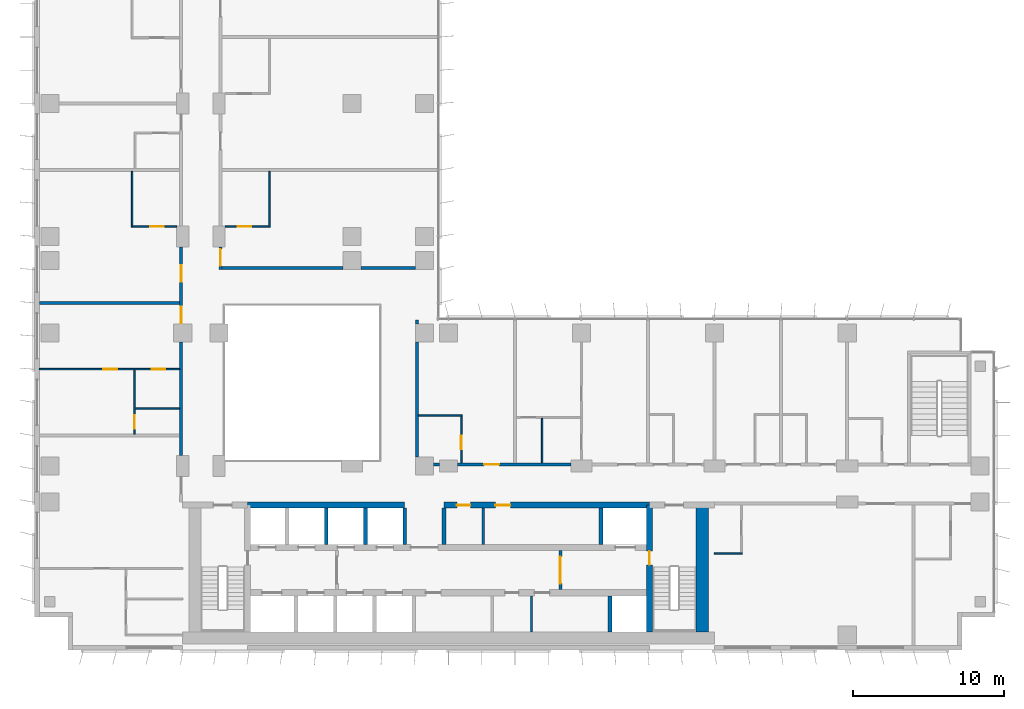
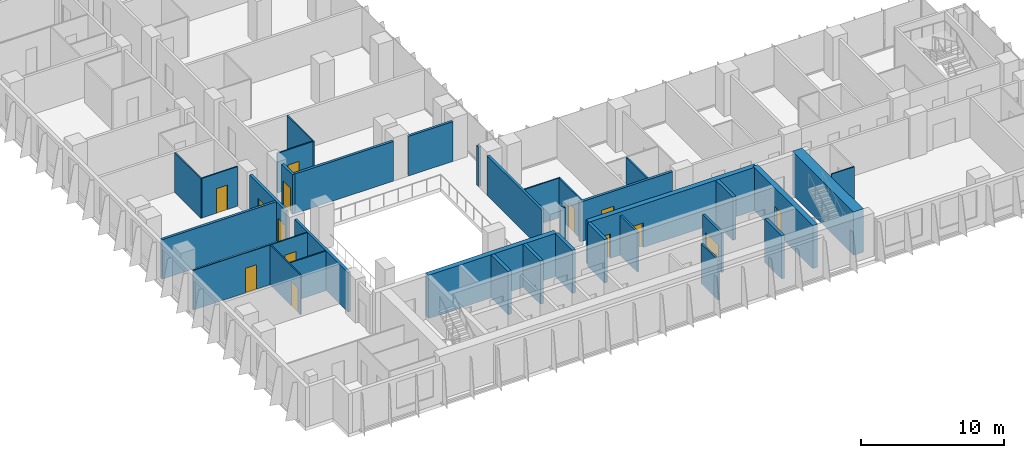
# One storey, part 13 of 22: 34 walls, 14 doors, 14 openings.
"""IFC4 building model written with IfcOpenShell, lengths in metres."""

from ifc_helpers import new_model, si_unit, direction, frame, frame_2d, origin, place, context, subcontext, project, spatial, rectangle, extrude, material, layer, layer_set, type_object, element, fill, save


model = new_model("IFC4")

# Units and contexts
model_context = context("Model", 3, precision=1e-05, world=origin(), true_north=direction((0.0, 1.0)))
body_context = subcontext(model_context, "Body", "Model", "MODEL_VIEW")
ifc_project = project(units=[si_unit("LENGTHUNIT", "METRE"), si_unit("AREAUNIT", "SQUARE_METRE"), si_unit("VOLUMEUNIT", "CUBIC_METRE"), si_unit("PLANEANGLEUNIT", "RADIAN"), si_unit("MASSUNIT", "GRAM", prefix="KILO")], contexts=[model_context])

# Site, building, storey
site_placement = place(None, origin())
site = spatial("IfcSite", under=ifc_project, at=site_placement, CompositionType="ELEMENT")
building_placement = place(site_placement, origin())
building = spatial("IfcBuilding", under=site, at=building_placement, Name="Kemantara Hotel Tower", CompositionType="ELEMENT")
storey_placement = place(building_placement, frame((0.0, 0.0, 145.699951171875)))
storey = spatial("IfcBuildingStorey", under=building, at=storey_placement, Name="L35", CompositionType="ELEMENT", Elevation=145.699951171875)

# Walls
ifc_material_1 = material(Name="Concrete fc 60 MPa", Category="concrete")
ifc_layer_1 = layer(ifc_material_1, 0.25)
ifc_layer_set_1 = layer_set([ifc_layer_1], Name="Concrete fc 60 MPa")
wall_type_1 = type_object("IfcWallType", Name="CORE WALL 250 FC60", PredefinedType="SHEAR", material=ifc_layer_set_1)
wall_1_placement = place(storey_placement, frame((38.10009765625, 1.199951171875, 0.0), z_axis=(0.0, 0.0, 1.0), x_axis=(0.0, 1.0, 0.0)))
element("IfcWall", 1, at=wall_1_placement, inside=storey, type_object=wall_type_1, Name="CORE WALL CW-DS38.1", PredefinedType="SHEAR", context=body_context, shape_type="SweptSolid", body=[
    extrude(rectangle(XDim=2.400146484375, YDim=0.25, at=frame_2d((1.2001953125, 0.0))), origin(), (0.0, 0.0, 1.0), 3.699951171875),
])
for number, where, z_axis, x_axis, name in (
    (2, (19.300048828125, 7.0, 0.0), (0.0, 0.0, 1.0), (0.0, 1.0, 0.0), "CORE WALL CW-DN19.3"),
    (3, (21.89990234375, 7.0, 0.0), (0.0, 0.0, 1.0), (0.0, 1.0, 0.0), "CORE WALL CW-DN21.9"),
    (4, (24.5, 7.0, 0.0), (0.0, 0.0, 1.0), (0.0, 1.0, 0.0), "CORE WALL CW-DN24.5"),
    (5, (27.10009765625, 7.0, 0.0), (0.0, 0.0, 1.0), (0.0, 1.0, 0.0), "CORE WALL CW-DN27.1"),
    (6, (37.5, 7.0, 0.0), (0.0, 0.0, 1.0), (0.0, 1.0, 0.0), "CORE WALL CW-DN37.5"),
):
    element("IfcWall", number, at=place(storey_placement, frame(where, z_axis=z_axis, x_axis=x_axis)), inside=storey, type_object=wall_type_1, Name=name, PredefinedType="SHEAR", context=body_context, shape_type="SweptSolid", body=[
        extrude(rectangle(XDim=2.39990234375, YDim=0.25, at=frame_2d((1.199951171875, 0.0))), origin(), (0.0, 0.0, 1.0), 3.699951171875),
    ])
ifc_layer_2 = layer(ifc_material_1, 0.39990234375)
ifc_layer_set_2 = layer_set([ifc_layer_2], Name="Concrete fc 60 MPa")
wall_type_2 = type_object("IfcWallType", Name="CORE WALL 400 FC60", PredefinedType="SHEAR", material=ifc_layer_set_2)
wall_2_placement = place(storey_placement, frame((14.10009765625, 9.60009765625, 0.0), z_axis=(0.0, 0.0, 1.0), x_axis=(1.0, 0.0, 0.0)))
element("IfcWall", 7, at=wall_2_placement, inside=storey, type_object=wall_type_2, Name="CORE WALL CW-NN1", PredefinedType="SHEAR", context=body_context, shape_type="SweptSolid", body=[
    extrude(rectangle(XDim=10.39990234375, YDim=0.39990234375, at=frame_2d((5.199951171875, 0.0))), origin(), (0.0, 0.0, 1.0), 3.699951171875),
])

# Wall, openings, doors
wall_3_placement = place(storey_placement, frame((27.10009765625, 9.60009765625, 0.0), z_axis=(0.0, 0.0, 1.0), x_axis=(1.0, 0.0, 0.0)))
wall_3 = element("IfcWall", 8, at=wall_3_placement, inside=storey, type_object=wall_type_2, Name="CORE WALL CW-NN2", PredefinedType="SHEAR", context=body_context, shape_type="SweptSolid", body=[
    extrude(rectangle(XDim=13.599853515625, YDim=0.39990234375, at=frame_2d((6.7998046875, 0.0))), origin(), (0.0, 0.0, 1.0), 3.699951171875),
])
opening_1_placement = place(wall_3_placement, frame((0.85009765625, 0.0, 0.0)))
opening_1 = element("IfcOpeningElement", 9, at=opening_1_placement, cuts=wall_3, Name="Opening C22-R-NE1", PredefinedType="OPENING", context=body_context, shape_type="SweptSolid", body=[
    extrude(rectangle(XDim=0.89990234375, YDim=2.10009765625, at=frame_2d((0.449951171875, 1.050048828125))), frame((0.0, 0.2099609375, 0.0), z_axis=(0.0, -1.0, 0.0), x_axis=(1.0, 0.0, 0.0)), (0.0, 0.0, 1.0), 0.419921875),
])
opening_2_placement = place(wall_3_placement, frame((3.39990234375, 0.0, 0.0)))
opening_2 = element("IfcOpeningElement", 10, at=opening_2_placement, cuts=wall_3, Name="Opening C22-R-NE2", PredefinedType="OPENING", context=body_context, shape_type="SweptSolid", body=[
    extrude(rectangle(XDim=1.0, YDim=2.10009765625, at=frame_2d((0.5, 1.050048828125))), frame((0.0, 0.2099609375, 0.0), z_axis=(0.0, -1.0, 0.0), x_axis=(1.0, 0.0, 0.0)), (0.0, 0.0, 1.0), 0.419921875),
])
ifc_material_2 = material(Name="Steel fire door", Category="steel")
door_type_1 = type_object("IfcDoorType", Name="Fire door FD30S 1000 x 2100", OperationType="NOTDEFINED", PredefinedType="DOOR", material=ifc_material_2)
door_1_placement = place(opening_2_placement, frame((1.0, 0.0, 0.0), z_axis=(0.0, 0.0, 1.0), x_axis=(-1.0, 0.0, 0.0)))
door_1 = element("IfcDoor", 11, at=door_1_placement, inside=storey, type_object=door_type_1, Name="Linen Store door", OperationType="SINGLE_SWING_RIGHT", OverallHeight=2.10009765625, OverallWidth=1.0, PredefinedType="DOOR", context=body_context, shape_type="SweptSolid", body=[
    extrude(rectangle(XDim=1.0, YDim=2.10009765625, at=frame_2d((0.5, 1.050048828125))), frame((0.0, 0.02490234375, 0.0), z_axis=(0.0, -1.0, 0.0), x_axis=(1.0, 0.0, 0.0)), (0.0, 0.0, 1.0), 0.050048828125),
])
fill(opening_2, door_1)
door_type_2 = type_object("IfcDoorType", Name="Fire door FD30S 900 x 2100", OperationType="NOTDEFINED", PredefinedType="DOOR", material=ifc_material_2)
door_2_placement = place(opening_1_placement, frame((0.89990234375, 0.0, 0.0), z_axis=(0.0, 0.0, 1.0), x_axis=(-1.0, 0.0, 0.0)))
door_2 = element("IfcDoor", 12, at=door_2_placement, inside=storey, type_object=door_type_2, Name="Staff Wc door", OperationType="SINGLE_SWING_RIGHT", OverallHeight=2.10009765625, OverallWidth=0.89990234375, PredefinedType="DOOR", context=body_context, shape_type="SweptSolid", body=[
    extrude(rectangle(XDim=0.89990234375, YDim=2.10009765625, at=frame_2d((0.449951171875, 1.050048828125))), frame((0.0, 0.02490234375, 0.0), z_axis=(0.0, -1.0, 0.0), x_axis=(1.0, 0.0, 0.0)), (0.0, 0.0, 1.0), 0.050048828125),
])
fill(opening_1, door_2)

# Wall, opening, door
wall_4_placement = place(storey_placement, frame((40.699951171875, 1.199951171875, 0.0), z_axis=(0.0, 0.0, 1.0), x_axis=(0.0, 1.0, 0.0)))
wall_4 = element("IfcWall", 13, at=wall_4_placement, inside=storey, type_object=wall_type_2, Name="CORE WALL CW-ST2W", PredefinedType="SHEAR", context=body_context, shape_type="SweptSolid", body=[
    extrude(rectangle(XDim=8.400146484375, YDim=0.39990234375, at=frame_2d((4.2001953125, 0.0))), origin(), (0.0, 0.0, 1.0), 3.699951171875),
])
opening_3_placement = place(wall_4_placement, frame((4.449951171875, 0.0, 0.0)))
opening_3 = element("IfcOpeningElement", 14, at=opening_3_placement, cuts=wall_4, Name="Opening C22-ST2-F", PredefinedType="OPENING", context=body_context, shape_type="SweptSolid", body=[
    extrude(rectangle(XDim=0.89990234375, YDim=2.10009765625, at=frame_2d((0.449951171875, 1.050048828125))), frame((0.0, 0.2099609375, 0.0), z_axis=(0.0, -1.0, 0.0), x_axis=(1.0, 0.0, 0.0)), (0.0, 0.0, 1.0), 0.419921875),
])
door_type_3 = type_object("IfcDoorType", Name="Fire door FD90 900 x 2100", OperationType="NOTDEFINED", PredefinedType="DOOR", material=ifc_material_2)
door_3_placement = place(opening_3_placement, frame((0.89990234375, 0.0, 0.0), z_axis=(0.0, 0.0, 1.0), x_axis=(-1.0, 0.0, 0.0)))
door_3 = element("IfcDoor", 15, at=door_3_placement, inside=storey, type_object=door_type_3, Name="Stair ST2 door to firefighting lobby", OperationType="SINGLE_SWING_LEFT", OverallHeight=2.10009765625, OverallWidth=0.89990234375, PredefinedType="DOOR", context=body_context, shape_type="SweptSolid", body=[
    extrude(rectangle(XDim=0.89990234375, YDim=2.10009765625, at=frame_2d((0.449951171875, 1.050048828125))), frame((0.0, 0.02490234375, 0.0), z_axis=(0.0, -1.0, 0.0), x_axis=(1.0, 0.0, 0.0)), (0.0, 0.0, 1.0), 0.050048828125),
])
fill(opening_3, door_3)

# Walls
ifc_layer_3 = layer(ifc_material_1, 0.800048828125)
ifc_layer_set_3 = layer_set([ifc_layer_3], Name="Concrete fc 60 MPa")
wall_type_3 = type_object("IfcWallType", Name="CORE WALL 800 FC60", PredefinedType="SHEAR", material=ifc_layer_set_3)
wall_5_placement = place(storey_placement, frame((44.199951171875, 1.199951171875, 0.0), z_axis=(0.0, 0.0, 1.0), x_axis=(0.0, 1.0, 0.0)))
element("IfcWall", 16, at=wall_5_placement, inside=storey, type_object=wall_type_3, Name="CORE WALL CW-E", PredefinedType="SHEAR", context=body_context, shape_type="SweptSolid", body=[
    extrude(rectangle(XDim=8.60009765625, YDim=0.800048828125, at=frame_2d((4.300048828125, 0.0))), origin(), (0.0, 0.0, 1.0), 3.699951171875),
])
ifc_material_3 = material(Name="Gypsum board partition, steel studs and mineral wool, 200 mm", Category="steel")
ifc_layer_4 = layer(ifc_material_3, 0.199951171875)
ifc_layer_set_4 = layer_set([ifc_layer_4], Name="Gypsum board partition, steel studs and mineral wool, 200 mm")
wall_type_4 = type_object("IfcWallType", Name="CORRIDOR WALL 200", PredefinedType="PARTITIONING", material=ifc_layer_set_4)
wall_6_placement = place(storey_placement, frame((26.400146484375, 12.300048828125, 0.0), z_axis=(0.0, 0.0, 1.0), x_axis=(1.0, 0.0, 0.0)))
element("IfcWall", 17, at=wall_6_placement, inside=storey, type_object=wall_type_4, Name="CORRIDOR WALL 200 004", PredefinedType="PARTITIONING", context=body_context, shape_type="SweptSolid", body=[
    extrude(rectangle(XDim=0.399658203125, YDim=0.199951171875, at=frame_2d((0.19970703125, 0.0))), origin(), (0.0, 0.0, 1.0), 3.400146484375),
])

# Wall, opening, door
wall_7_placement = place(storey_placement, frame((28.0, 12.300048828125, 0.0), z_axis=(0.0, 0.0, 1.0), x_axis=(1.0, 0.0, 0.0)))
wall_7 = element("IfcWall", 18, at=wall_7_placement, inside=storey, type_object=wall_type_4, Name="CORRIDOR WALL 200 005", PredefinedType="PARTITIONING", context=body_context, shape_type="SweptSolid", body=[
    extrude(rectangle(XDim=7.5, YDim=0.199951171875, at=frame_2d((3.75, 0.0))), origin(), (0.0, 0.0, 1.0), 3.400146484375),
])
opening_4_placement = place(wall_7_placement, frame((1.75, 0.0, 0.0)))
opening_4 = element("IfcOpeningElement", 19, at=opening_4_placement, cuts=wall_7, Name="Opening F16-005", PredefinedType="OPENING", context=body_context, shape_type="SweptSolid", body=[
    extrude(rectangle(XDim=1.0, YDim=2.10009765625, at=frame_2d((0.5, 1.050048828125))), frame((0.0, 0.10986328125, 0.0), z_axis=(0.0, -1.0, 0.0), x_axis=(1.0, 0.0, 0.0)), (0.0, 0.0, 1.0), 0.219970703125),
])
ifc_material_4 = material(Name="Hardwood veneer door leaf with steel frame", Category="steel")
door_type_4 = type_object("IfcDoorType", Name="GUEST ROOM DOOR 1000 X 2100 FD30S", OperationType="NOTDEFINED", PredefinedType="DOOR", material=ifc_material_4)
door_4_placement = place(opening_4_placement, origin())
door_4 = element("IfcDoor", 20, at=door_4_placement, inside=storey, type_object=door_type_4, Name="GUEST ROOM DOOR F16-005", OperationType="SINGLE_SWING_RIGHT", OverallHeight=2.10009765625, OverallWidth=1.0, PredefinedType="DOOR", context=body_context, shape_type="SweptSolid", body=[
    extrude(rectangle(XDim=1.0, YDim=2.10009765625, at=frame_2d((0.5, 1.050048828125))), frame((0.0, 0.02490234375, 0.0), z_axis=(0.0, -1.0, 0.0), x_axis=(1.0, 0.0, 0.0)), (0.0, 0.0, 1.0), 0.050048828125),
])
fill(opening_4, door_4)

# Wall
wall_8_placement = place(storey_placement, frame((9.699951171875, 12.900146484375, 0.0), z_axis=(0.0, 0.0, 1.0), x_axis=(0.0, 1.0, 0.0)))
element("IfcWall", 21, at=wall_8_placement, inside=storey, type_object=wall_type_4, Name="CORRIDOR WALL 200 017", PredefinedType="PARTITIONING", context=body_context, shape_type="SweptSolid", body=[
    extrude(rectangle(XDim=7.499755859375, YDim=0.199951171875, at=frame_2d((3.75, 0.0))), origin(), (0.0, 0.0, 1.0), 3.400146484375),
])

# Wall, openings, doors
wall_9_placement = place(storey_placement, frame((9.699951171875, 21.60009765625, 0.0), z_axis=(0.0, 0.0, 1.0), x_axis=(0.0, 1.0, 0.0)))
wall_9 = element("IfcWall", 22, at=wall_9_placement, inside=storey, type_object=wall_type_4, Name="CORRIDOR WALL 200 018", PredefinedType="PARTITIONING", context=body_context, shape_type="SweptSolid", body=[
    extrude(rectangle(XDim=5.099853515625, YDim=0.199951171875, at=frame_2d((2.5498046875, 0.0))), origin(), (0.0, 0.0, 1.0), 3.400146484375),
])
opening_5_placement = place(wall_9_placement, frame((0.0498046875, 0.0, 0.0)))
opening_5 = element("IfcOpeningElement", 23, at=opening_5_placement, cuts=wall_9, Name="Opening F16-023", PredefinedType="OPENING", context=body_context, shape_type="SweptSolid", body=[
    extrude(rectangle(XDim=1.10009765625, YDim=2.10009765625, at=frame_2d((0.550048828125, 1.050048828125))), frame((0.0, 0.10986328125, 0.0), z_axis=(0.0, -1.0, 0.0), x_axis=(1.0, 0.0, 0.0)), (0.0, 0.0, 1.0), 0.219970703125),
])
opening_6_placement = place(wall_9_placement, frame((2.7998046875, 0.0, 0.0)))
opening_6 = element("IfcOpeningElement", 24, at=opening_6_placement, cuts=wall_9, Name="Opening F16-027", PredefinedType="OPENING", context=body_context, shape_type="SweptSolid", body=[
    extrude(rectangle(XDim=1.10009765625, YDim=2.10009765625, at=frame_2d((0.550048828125, 1.050048828125))), frame((0.0, 0.10986328125, 0.0), z_axis=(0.0, -1.0, 0.0), x_axis=(1.0, 0.0, 0.0)), (0.0, 0.0, 1.0), 0.219970703125),
])
door_type_5 = type_object("IfcDoorType", Name="SUITE ENTRANCE DOOR 1100 X 2100 FD30S", OperationType="NOTDEFINED", PredefinedType="DOOR", material=ifc_material_4)
door_5_placement = place(opening_5_placement, origin())
door_5 = element("IfcDoor", 25, at=door_5_placement, inside=storey, type_object=door_type_5, Name="SUITE ENTRANCE DOOR F16-023", OperationType="SINGLE_SWING_RIGHT", OverallHeight=2.10009765625, OverallWidth=1.10009765625, PredefinedType="DOOR", context=body_context, shape_type="SweptSolid", body=[
    extrude(rectangle(XDim=1.10009765625, YDim=2.10009765625, at=frame_2d((0.550048828125, 1.050048828125))), frame((0.0, 0.02490234375, 0.0), z_axis=(0.0, -1.0, 0.0), x_axis=(1.0, 0.0, 0.0)), (0.0, 0.0, 1.0), 0.050048828125),
])
fill(opening_5, door_5)
door_6_placement = place(opening_6_placement, origin())
door_6 = element("IfcDoor", 26, at=door_6_placement, inside=storey, type_object=door_type_5, Name="SUITE ENTRANCE DOOR F16-027", OperationType="SINGLE_SWING_LEFT", OverallHeight=2.10009765625, OverallWidth=1.10009765625, PredefinedType="DOOR", context=body_context, shape_type="SweptSolid", body=[
    extrude(rectangle(XDim=1.10009765625, YDim=2.10009765625, at=frame_2d((0.550048828125, 1.050048828125))), frame((0.0, 0.02490234375, 0.0), z_axis=(0.0, -1.0, 0.0), x_axis=(1.0, 0.0, 0.0)), (0.0, 0.0, 1.0), 0.050048828125),
])
fill(opening_6, door_6)

# Wall, opening, door
wall_10_placement = place(storey_placement, frame((12.300048828125, 26.699951171875, 0.0), z_axis=(0.0, 0.0, 1.0), x_axis=(0.0, -1.0, 0.0)))
wall_10 = element("IfcWall", 27, at=wall_10_placement, inside=storey, type_object=wall_type_4, Name="CORRIDOR WALL 200 032", PredefinedType="PARTITIONING", context=body_context, shape_type="SweptSolid", body=[
    extrude(rectangle(XDim=1.5, YDim=0.199951171875, at=frame_2d((0.75, 0.0))), origin(), (0.0, 0.0, 1.0), 3.400146484375),
])
opening_7_placement = place(wall_10_placement, frame((0.14990234375, 0.0, 0.0)))
opening_7 = element("IfcOpeningElement", 28, at=opening_7_placement, cuts=wall_10, Name="Opening F16-045", PredefinedType="OPENING", context=body_context, shape_type="SweptSolid", body=[
    extrude(rectangle(XDim=1.10009765625, YDim=2.10009765625, at=frame_2d((0.550048828125, 1.050048828125))), frame((0.0, 0.10986328125, 0.0), z_axis=(0.0, -1.0, 0.0), x_axis=(1.0, 0.0, 0.0)), (0.0, 0.0, 1.0), 0.219970703125),
])
door_7_placement = place(opening_7_placement, origin())
door_7 = element("IfcDoor", 29, at=door_7_placement, inside=storey, type_object=door_type_5, Name="SUITE ENTRANCE DOOR F16-045", OperationType="SINGLE_SWING_RIGHT", OverallHeight=2.10009765625, OverallWidth=1.10009765625, PredefinedType="DOOR", context=body_context, shape_type="SweptSolid", body=[
    extrude(rectangle(XDim=1.10009765625, YDim=2.10009765625, at=frame_2d((0.550048828125, 1.050048828125))), frame((0.0, 0.02490234375, 0.0), z_axis=(0.0, -1.0, 0.0), x_axis=(1.0, 0.0, 0.0)), (0.0, 0.0, 1.0), 0.050048828125),
])
fill(opening_7, door_7)

# Walls
ifc_layer_5 = layer(ifc_material_3, 0.199951171875)
ifc_layer_set_5 = layer_set([ifc_layer_5], Name="Gypsum board partition, steel studs and mineral wool, 200 mm")
wall_type_5 = type_object("IfcWallType", Name="GUEST ROOM PARTY WALL 200", PredefinedType="PARTITIONING", material=ifc_layer_set_5)
wall_11_placement = place(storey_placement, frame((25.300048828125, 12.800048828125, 0.0), z_axis=(0.0, 0.0, 1.0), x_axis=(0.0, 1.0, 0.0)))
element("IfcWall", 30, at=wall_11_placement, inside=storey, type_object=wall_type_5, Name="GUEST ROOM PARTY WALL 200 009", PredefinedType="PARTITIONING", context=body_context, shape_type="SweptSolid", body=[
    extrude(rectangle(XDim=7.599853515625, YDim=0.199951171875, at=frame_2d((3.7998046875, 0.0))), origin(), (0.0, 0.0, 1.0), 3.400146484375),
])
wall_12_placement = place(storey_placement, frame((25.300048828125, 21.60009765625, 0.0), z_axis=(0.0, 0.0, 1.0), x_axis=(0.0, 1.0, 0.0)))
element("IfcWall", 31, at=wall_12_placement, inside=storey, type_object=wall_type_5, Name="GUEST ROOM PARTY WALL 200 010", PredefinedType="PARTITIONING", context=body_context, shape_type="SweptSolid", body=[
    extrude(rectangle(XDim=0.27001953125, YDim=0.199951171875, at=frame_2d((0.135009765625, 0.0))), origin(), (0.0, 0.0, 1.0), 3.400146484375),
])
wall_13_placement = place(storey_placement, frame((0.31005859375, 23.0, 0.0), z_axis=(0.0, 0.0, 1.0), x_axis=(1.0, 0.0, 0.0)))
element("IfcWall", 32, at=wall_13_placement, inside=storey, type_object=wall_type_5, Name="GUEST ROOM PARTY WALL 200 026", PredefinedType="PARTITIONING", context=body_context, shape_type="SweptSolid", body=[
    extrude(rectangle(XDim=9.2900390625, YDim=0.199951171875, at=frame_2d((4.64501953125, 0.0))), origin(), (0.0, 0.0, 1.0), 3.400146484375),
])
wall_14_placement = place(storey_placement, frame((12.39990234375, 25.300048828125, 0.0), z_axis=(0.0, 0.0, 1.0), x_axis=(1.0, 0.0, 0.0)))
element("IfcWall", 33, at=wall_14_placement, inside=storey, type_object=wall_type_5, Name="GUEST ROOM PARTY WALL 200 039", PredefinedType="PARTITIONING", context=body_context, shape_type="SweptSolid", body=[
    extrude(rectangle(XDim=8.0, YDim=0.199951171875, at=frame_2d((4.0, 0.0))), origin(), (0.0, 0.0, 1.0), 3.400146484375),
])
wall_15_placement = place(storey_placement, frame((21.60009765625, 25.300048828125, 0.0), z_axis=(0.0, 0.0, 1.0), x_axis=(1.0, 0.0, 0.0)))
element("IfcWall", 34, at=wall_15_placement, inside=storey, type_object=wall_type_5, Name="GUEST ROOM PARTY WALL 200 040", PredefinedType="PARTITIONING", context=body_context, shape_type="SweptSolid", body=[
    extrude(rectangle(XDim=3.599853515625, YDim=0.199951171875, at=frame_2d((1.7998046875, 0.0))), origin(), (0.0, 0.0, 1.0), 3.400146484375),
])
ifc_material_5 = material(Name="Gypsum board partition")
ifc_layer_6 = layer(ifc_material_5, 0.14990234375)
ifc_layer_set_6 = layer_set([ifc_layer_6], Name="Gypsum board partition")
wall_type_6 = type_object("IfcWallType", Name="Gypsum board partition 150 mm", PredefinedType="PARTITIONING", material=ifc_layer_set_6)
wall_16_placement = place(storey_placement, frame((29.699951171875, 7.0, 0.0), z_axis=(0.0, 0.0, 1.0), x_axis=(0.0, 1.0, 0.0)))
element("IfcWall", 35, at=wall_16_placement, inside=storey, type_object=wall_type_6, Name="Core room partition", PredefinedType="PARTITIONING", context=body_context, shape_type="SweptSolid", body=[
    extrude(rectangle(XDim=2.39990234375, YDim=0.14990234375, at=frame_2d((1.199951171875, 0.0))), origin(), (0.0, 0.0, 1.0), 3.400146484375),
])
wall_17_placement = place(storey_placement, frame((32.89990234375, 1.199951171875, 0.0), z_axis=(0.0, 0.0, 1.0), x_axis=(0.0, 1.0, 0.0)))
element("IfcWall", 36, at=wall_17_placement, inside=storey, type_object=wall_type_6, Name="Core room partition", PredefinedType="PARTITIONING", context=body_context, shape_type="SweptSolid", body=[
    extrude(rectangle(XDim=2.400146484375, YDim=0.14990234375, at=frame_2d((1.2001953125, 0.0))), origin(), (0.0, 0.0, 1.0), 3.400146484375),
])

# Wall, opening, door
ifc_material_6 = material(Name="Gypsum board shaft wall")
ifc_layer_7 = layer(ifc_material_6, 0.199951171875)
ifc_layer_set_7 = layer_set([ifc_layer_7], Name="Gypsum board shaft wall")
wall_type_7 = type_object("IfcWallType", Name="Gypsum board shaft wall 200 mm", PredefinedType="PARTITIONING", material=ifc_layer_set_7)
wall_18_placement = place(storey_placement, frame((34.800048828125, 4.0, 0.0), z_axis=(0.0, 0.0, 1.0), x_axis=(0.0, 1.0, 0.0)))
wall_18 = element("IfcWall", 37, at=wall_18_placement, inside=storey, type_object=wall_type_7, Name="Firefighting lobby partition east", PredefinedType="PARTITIONING", context=body_context, shape_type="SweptSolid", body=[
    extrude(rectangle(XDim=2.60009765625, YDim=0.199951171875, at=frame_2d((1.300048828125, 0.0))), origin(), (0.0, 0.0, 1.0), 3.400146484375),
])
opening_8_placement = place(wall_18_placement, frame((0.39990234375, 0.0, 0.0)))
opening_8 = element("IfcOpeningElement", 38, at=opening_8_placement, cuts=wall_18, Name="Opening C22-FFE", PredefinedType="OPENING", context=body_context, shape_type="SweptSolid", body=[
    extrude(rectangle(XDim=1.800048828125, YDim=2.10009765625, at=frame_2d((0.89990234375, 1.050048828125))), frame((0.0, 0.10986328125, 0.0), z_axis=(0.0, -1.0, 0.0), x_axis=(1.0, 0.0, 0.0)), (0.0, 0.0, 1.0), 0.219970703125),
])
door_type_6 = type_object("IfcDoorType", Name="Fire door pair FD60 1800 x 2100", OperationType="DOUBLE_DOOR_SINGLE_SWING", PredefinedType="DOOR", material=ifc_material_2)
door_8_placement = place(opening_8_placement, frame((1.800048828125, 0.0, 0.0), z_axis=(0.0, 0.0, 1.0), x_axis=(-1.0, 0.0, 0.0)))
door_8 = element("IfcDoor", 39, at=door_8_placement, inside=storey, type_object=door_type_6, Name="Firefighting lobby door east", OperationType="DOUBLE_DOOR_SINGLE_SWING", OverallHeight=2.10009765625, OverallWidth=1.800048828125, PredefinedType="DOOR", context=body_context, shape_type="SweptSolid", body=[
    extrude(rectangle(XDim=1.800048828125, YDim=2.10009765625, at=frame_2d((0.89990234375, 1.050048828125))), frame((0.0, 0.02490234375, 0.0), z_axis=(0.0, -1.0, 0.0), x_axis=(1.0, 0.0, 0.0)), (0.0, 0.0, 1.0), 0.050048828125),
])
fill(opening_8, door_8)

# Walls
ifc_material_7 = material(Name="Gypsum board partition on steel studs, 100 mm", Category="steel")
ifc_layer_8 = layer(ifc_material_7, 0.10009765625)
ifc_layer_set_8 = layer_set([ifc_layer_8], Name="Gypsum board partition on steel studs, 100 mm")
wall_type_8 = type_object("IfcWallType", Name="ROOM PARTITION 100", PredefinedType="PARTITIONING", material=ifc_layer_set_8)
wall_19_placement = place(storey_placement, frame((45.0, 6.39990234375, 0.0), z_axis=(0.0, 0.0, 1.0), x_axis=(1.0, 0.0, 0.0)))
element("IfcWall", 40, at=wall_19_placement, inside=storey, type_object=wall_type_8, Name="ROOM PARTITION 100 045", PredefinedType="PARTITIONING", context=body_context, shape_type="SweptSolid", body=[
    extrude(rectangle(XDim=1.85009765625, YDim=0.10009765625, at=frame_2d((0.925048828125, 0.0))), origin(), (0.0, 0.0, 1.0), 3.400146484375),
])
wall_20_placement = place(storey_placement, frame((25.39990234375, 15.550048828125, 0.0), z_axis=(0.0, 0.0, 1.0), x_axis=(1.0, 0.0, 0.0)))
element("IfcWall", 41, at=wall_20_placement, inside=storey, type_object=wall_type_8, Name="ROOM PARTITION 100 049", PredefinedType="PARTITIONING", context=body_context, shape_type="SweptSolid", body=[
    extrude(rectangle(XDim=2.900146484375, YDim=0.10009765625, at=frame_2d((1.4501953125, 0.0))), origin(), (0.0, 0.0, 1.0), 3.400146484375),
])

# Wall, opening, door
wall_21_placement = place(storey_placement, frame((28.25, 12.39990234375, 0.0), z_axis=(0.0, 0.0, 1.0), x_axis=(0.0, 1.0, 0.0)))
wall_21 = element("IfcWall", 42, at=wall_21_placement, inside=storey, type_object=wall_type_8, Name="ROOM PARTITION 100 050", PredefinedType="PARTITIONING", context=body_context, shape_type="SweptSolid", body=[
    extrude(rectangle(XDim=3.10009765625, YDim=0.10009765625, at=frame_2d((1.550048828125, 0.0))), origin(), (0.0, 0.0, 1.0), 3.400146484375),
])
opening_9_placement = place(wall_21_placement, frame((0.89990234375, 0.0, 0.0)))
opening_9 = element("IfcOpeningElement", 43, at=opening_9_placement, cuts=wall_21, Name="Opening F16-006", PredefinedType="OPENING", context=body_context, shape_type="SweptSolid", body=[
    extrude(rectangle(XDim=0.89990234375, YDim=2.10009765625, at=frame_2d((0.449951171875, 1.050048828125))), frame((0.0, 0.06005859375, 0.0), z_axis=(0.0, -1.0, 0.0), x_axis=(1.0, 0.0, 0.0)), (0.0, 0.0, 1.0), 0.1201171875),
])
door_type_7 = type_object("IfcDoorType", Name="BATHROOM DOOR 900 X 2100", OperationType="NOTDEFINED", PredefinedType="DOOR", material=ifc_material_4)
door_9_placement = place(opening_9_placement, origin())
door_9 = element("IfcDoor", 44, at=door_9_placement, inside=storey, type_object=door_type_7, Name="BATHROOM DOOR F16-006", OperationType="SINGLE_SWING_LEFT", OverallHeight=2.10009765625, OverallWidth=0.89990234375, PredefinedType="DOOR", context=body_context, shape_type="SweptSolid", body=[
    extrude(rectangle(XDim=0.89990234375, YDim=2.10009765625, at=frame_2d((0.449951171875, 1.050048828125))), frame((0.0, 0.02490234375, 0.0), z_axis=(0.0, -1.0, 0.0), x_axis=(1.0, 0.0, 0.0)), (0.0, 0.0, 1.0), 0.050048828125),
])
fill(opening_9, door_9)

# Wall
wall_22_placement = place(storey_placement, frame((33.60009765625, 12.39990234375, 0.0), z_axis=(0.0, 0.0, 1.0), x_axis=(0.0, 1.0, 0.0)))
element("IfcWall", 45, at=wall_22_placement, inside=storey, type_object=wall_type_8, Name="ROOM PARTITION 100 053", PredefinedType="PARTITIONING", context=body_context, shape_type="SweptSolid", body=[
    extrude(rectangle(XDim=2.9501953125, YDim=0.10009765625, at=frame_2d((1.47509765625, 0.0))), origin(), (0.0, 0.0, 1.0), 3.400146484375),
])

# Wall, opening, door
wall_23_placement = place(storey_placement, frame((6.60009765625, 18.550048828125, 0.0), z_axis=(0.0, 0.0, 1.0), x_axis=(0.0, -1.0, 0.0)))
wall_23 = element("IfcWall", 46, at=wall_23_placement, inside=storey, type_object=wall_type_8, Name="ROOM PARTITION 100 067", PredefinedType="PARTITIONING", context=body_context, shape_type="SweptSolid", body=[
    extrude(rectangle(XDim=4.25, YDim=0.10009765625, at=frame_2d((2.125, 0.0))), origin(), (0.0, 0.0, 1.0), 3.400146484375),
])
opening_10_placement = place(wall_23_placement, frame((3.0, 0.0, 0.0)))
opening_10 = element("IfcOpeningElement", 47, at=opening_10_placement, cuts=wall_23, Name="Opening F16-026", PredefinedType="OPENING", context=body_context, shape_type="SweptSolid", body=[
    extrude(rectangle(XDim=0.89990234375, YDim=2.10009765625, at=frame_2d((0.449951171875, 1.050048828125))), frame((0.0, 0.06005859375, 0.0), z_axis=(0.0, -1.0, 0.0), x_axis=(1.0, 0.0, 0.0)), (0.0, 0.0, 1.0), 0.1201171875),
])
door_10_placement = place(opening_10_placement, origin())
door_10 = element("IfcDoor", 48, at=door_10_placement, inside=storey, type_object=door_type_7, Name="BATHROOM DOOR F16-026", OperationType="SINGLE_SWING_LEFT", OverallHeight=2.10009765625, OverallWidth=0.89990234375, PredefinedType="DOOR", context=body_context, shape_type="SweptSolid", body=[
    extrude(rectangle(XDim=0.89990234375, YDim=2.10009765625, at=frame_2d((0.449951171875, 1.050048828125))), frame((0.0, 0.02490234375, 0.0), z_axis=(0.0, -1.0, 0.0), x_axis=(1.0, 0.0, 0.0)), (0.0, 0.0, 1.0), 0.050048828125),
])
fill(opening_10, door_10)

# Wall, openings, doors
wall_24_placement = place(storey_placement, frame((0.31005859375, 18.60009765625, 0.0), z_axis=(0.0, 0.0, 1.0), x_axis=(1.0, 0.0, 0.0)))
wall_24 = element("IfcWall", 49, at=wall_24_placement, inside=storey, type_object=wall_type_8, Name="ROOM PARTITION 100 070", PredefinedType="PARTITIONING", context=body_context, shape_type="SweptSolid", body=[
    extrude(rectangle(XDim=9.2900390625, YDim=0.10009765625, at=frame_2d((4.64501953125, 0.0))), origin(), (0.0, 0.0, 1.0), 3.400146484375),
])
opening_11_placement = place(wall_24_placement, frame((7.43994140625, 0.0, 0.0)))
opening_11 = element("IfcOpeningElement", 50, at=opening_11_placement, cuts=wall_24, Name="Opening F16-024", PredefinedType="OPENING", context=body_context, shape_type="SweptSolid", body=[
    extrude(rectangle(XDim=0.89990234375, YDim=2.10009765625, at=frame_2d((0.449951171875, 1.050048828125))), frame((0.0, 0.06005859375, 0.0), z_axis=(0.0, -1.0, 0.0), x_axis=(1.0, 0.0, 0.0)), (0.0, 0.0, 1.0), 0.1201171875),
])
opening_12_placement = place(wall_24_placement, frame((4.239990234375, 0.0, 0.0)))
opening_12 = element("IfcOpeningElement", 51, at=opening_12_placement, cuts=wall_24, Name="Opening F16-025", PredefinedType="OPENING", context=body_context, shape_type="SweptSolid", body=[
    extrude(rectangle(XDim=0.89990234375, YDim=2.10009765625, at=frame_2d((0.449951171875, 1.050048828125))), frame((0.0, 0.06005859375, 0.0), z_axis=(0.0, -1.0, 0.0), x_axis=(1.0, 0.0, 0.0)), (0.0, 0.0, 1.0), 0.1201171875),
])
door_type_8 = type_object("IfcDoorType", Name="INTERNAL DOOR 900 X 2100", OperationType="NOTDEFINED", PredefinedType="DOOR", material=ifc_material_4)
door_11_placement = place(opening_12_placement, frame((0.89990234375, 0.0, 0.0), z_axis=(0.0, 0.0, 1.0), x_axis=(-1.0, 0.0, 0.0)))
door_11 = element("IfcDoor", 52, at=door_11_placement, inside=storey, type_object=door_type_8, Name="INTERNAL DOOR F16-025", OperationType="SINGLE_SWING_RIGHT", OverallHeight=2.10009765625, OverallWidth=0.89990234375, PredefinedType="DOOR", context=body_context, shape_type="SweptSolid", body=[
    extrude(rectangle(XDim=0.89990234375, YDim=2.10009765625, at=frame_2d((0.449951171875, 1.050048828125))), frame((0.0, 0.02490234375, 0.0), z_axis=(0.0, -1.0, 0.0), x_axis=(1.0, 0.0, 0.0)), (0.0, 0.0, 1.0), 0.050048828125),
])
fill(opening_12, door_11)
door_type_9 = type_object("IfcDoorType", Name="PANTRY DOOR 900 X 2100", OperationType="NOTDEFINED", PredefinedType="DOOR", material=ifc_material_4)
door_12_placement = place(opening_11_placement, origin())
door_12 = element("IfcDoor", 53, at=door_12_placement, inside=storey, type_object=door_type_9, Name="PANTRY DOOR F16-024", OperationType="SINGLE_SWING_RIGHT", OverallHeight=2.10009765625, OverallWidth=0.89990234375, PredefinedType="DOOR", context=body_context, shape_type="SweptSolid", body=[
    extrude(rectangle(XDim=0.89990234375, YDim=2.10009765625, at=frame_2d((0.449951171875, 1.050048828125))), frame((0.0, 0.02490234375, 0.0), z_axis=(0.0, -1.0, 0.0), x_axis=(1.0, 0.0, 0.0)), (0.0, 0.0, 1.0), 0.050048828125),
])
fill(opening_11, door_12)

# Walls
wall_25_placement = place(storey_placement, frame((6.64990234375, 16.0, 0.0), z_axis=(0.0, 0.0, 1.0), x_axis=(1.0, 0.0, 0.0)))
element("IfcWall", 54, at=wall_25_placement, inside=storey, type_object=wall_type_8, Name="ROOM PARTITION 100 071", PredefinedType="PARTITIONING", context=body_context, shape_type="SweptSolid", body=[
    extrude(rectangle(XDim=2.9501953125, YDim=0.10009765625, at=frame_2d((1.47509765625, 0.0))), origin(), (0.0, 0.0, 1.0), 3.400146484375),
])
wall_26_placement = place(storey_placement, frame((6.449951171875, 28.0, 0.0), z_axis=(0.0, 0.0, 1.0), x_axis=(0.0, 1.0, 0.0)))
element("IfcWall", 55, at=wall_26_placement, inside=storey, type_object=wall_type_8, Name="ROOM PARTITION 100 072", PredefinedType="PARTITIONING", context=body_context, shape_type="SweptSolid", body=[
    extrude(rectangle(XDim=3.699951171875, YDim=0.10009765625, at=frame_2d((1.85009765625, 0.0))), origin(), (0.0, 0.0, 1.0), 3.400146484375),
])

# Wall, opening, door
wall_27_placement = place(storey_placement, frame((6.5, 28.050048828125, 0.0), z_axis=(0.0, 0.0, 1.0), x_axis=(1.0, 0.0, 0.0)))
wall_27 = element("IfcWall", 56, at=wall_27_placement, inside=storey, type_object=wall_type_8, Name="ROOM PARTITION 100 074", PredefinedType="PARTITIONING", context=body_context, shape_type="SweptSolid", body=[
    extrude(rectangle(XDim=2.89990234375, YDim=0.10009765625, at=frame_2d((1.449951171875, 0.0))), origin(), (0.0, 0.0, 1.0), 3.400146484375),
])
opening_13_placement = place(wall_27_placement, frame((1.14990234375, 0.0, 0.0)))
opening_13 = element("IfcOpeningElement", 57, at=opening_13_placement, cuts=wall_27, Name="Opening F16-028", PredefinedType="OPENING", context=body_context, shape_type="SweptSolid", body=[
    extrude(rectangle(XDim=0.89990234375, YDim=2.10009765625, at=frame_2d((0.449951171875, 1.050048828125))), frame((0.0, 0.06005859375, 0.0), z_axis=(0.0, -1.0, 0.0), x_axis=(1.0, 0.0, 0.0)), (0.0, 0.0, 1.0), 0.1201171875),
])
door_13_placement = place(opening_13_placement, origin())
door_13 = element("IfcDoor", 58, at=door_13_placement, inside=storey, type_object=door_type_7, Name="BATHROOM DOOR F16-028", OperationType="SINGLE_SWING_RIGHT", OverallHeight=2.10009765625, OverallWidth=0.89990234375, PredefinedType="DOOR", context=body_context, shape_type="SweptSolid", body=[
    extrude(rectangle(XDim=0.89990234375, YDim=2.10009765625, at=frame_2d((0.449951171875, 1.050048828125))), frame((0.0, 0.02490234375, 0.0), z_axis=(0.0, -1.0, 0.0), x_axis=(1.0, 0.0, 0.0)), (0.0, 0.0, 1.0), 0.050048828125),
])
fill(opening_13, door_13)

wall_28_placement = place(storey_placement, frame((12.60009765625, 28.050048828125, 0.0), z_axis=(0.0, 0.0, 1.0), x_axis=(1.0, 0.0, 0.0)))
wall_28 = element("IfcWall", 59, at=wall_28_placement, inside=storey, type_object=wall_type_8, Name="ROOM PARTITION 100 075", PredefinedType="PARTITIONING", context=body_context, shape_type="SweptSolid", body=[
    extrude(rectangle(XDim=2.89990234375, YDim=0.10009765625, at=frame_2d((1.449951171875, 0.0))), origin(), (0.0, 0.0, 1.0), 3.400146484375),
])
opening_14_placement = place(wall_28_placement, frame((0.849853515625, 0.0, 0.0)))
opening_14 = element("IfcOpeningElement", 60, at=opening_14_placement, cuts=wall_28, Name="Opening F16-046", PredefinedType="OPENING", context=body_context, shape_type="SweptSolid", body=[
    extrude(rectangle(XDim=0.89990234375, YDim=2.10009765625, at=frame_2d((0.449951171875, 1.050048828125))), frame((0.0, 0.06005859375, 0.0), z_axis=(0.0, -1.0, 0.0), x_axis=(1.0, 0.0, 0.0)), (0.0, 0.0, 1.0), 0.1201171875),
])
door_14_placement = place(opening_14_placement, origin())
door_14 = element("IfcDoor", 61, at=door_14_placement, inside=storey, type_object=door_type_7, Name="BATHROOM DOOR F16-046", OperationType="SINGLE_SWING_LEFT", OverallHeight=2.10009765625, OverallWidth=0.89990234375, PredefinedType="DOOR", context=body_context, shape_type="SweptSolid", body=[
    extrude(rectangle(XDim=0.89990234375, YDim=2.10009765625, at=frame_2d((0.449951171875, 1.050048828125))), frame((0.0, 0.02490234375, 0.0), z_axis=(0.0, -1.0, 0.0), x_axis=(1.0, 0.0, 0.0)), (0.0, 0.0, 1.0), 0.050048828125),
])
fill(opening_14, door_14)

# Wall
wall_29_placement = place(storey_placement, frame((15.550048828125, 28.0, 0.0), z_axis=(0.0, 0.0, 1.0), x_axis=(0.0, 1.0, 0.0)))
element("IfcWall", 62, at=wall_29_placement, inside=storey, type_object=wall_type_8, Name="ROOM PARTITION 100 087", PredefinedType="PARTITIONING", context=body_context, shape_type="SweptSolid", body=[
    extrude(rectangle(XDim=3.699951171875, YDim=0.10009765625, at=frame_2d((1.85009765625, 0.0))), origin(), (0.0, 0.0, 1.0), 3.400146484375),
])

save(model, "model.ifc")
